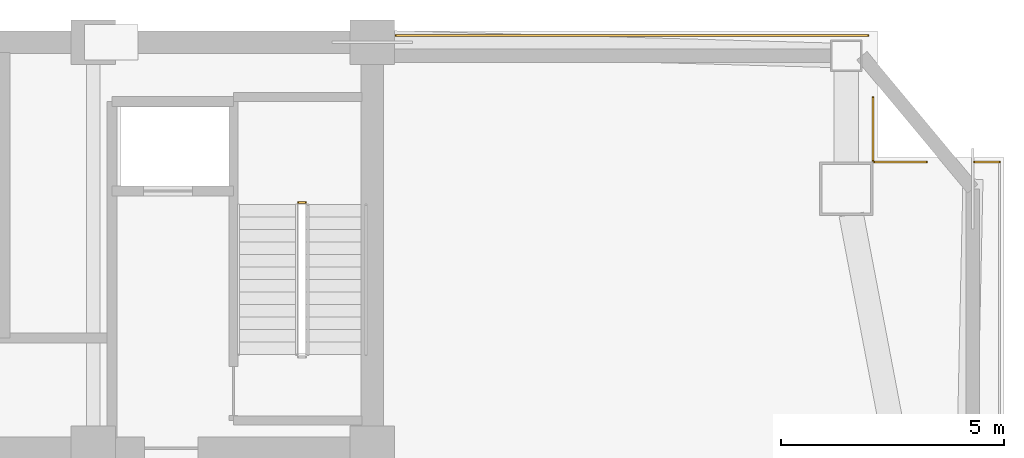
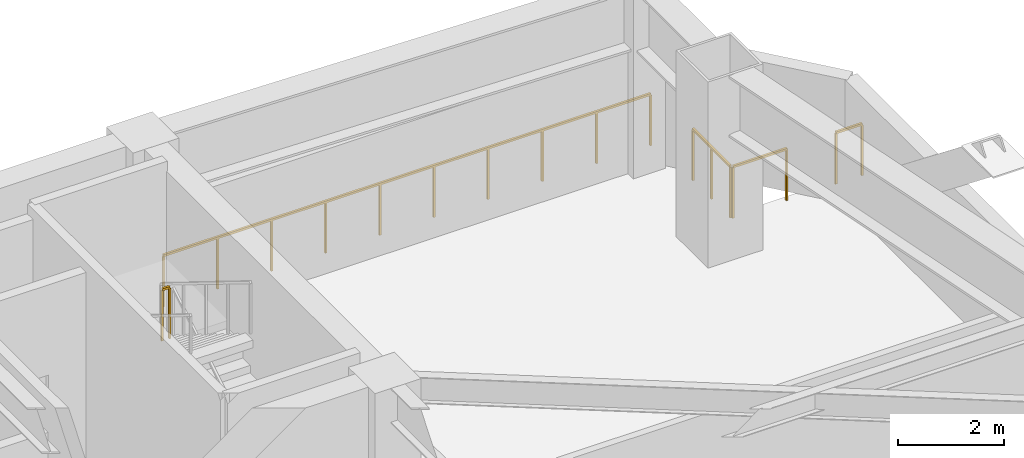
# One storey, part 11 of 11: 5 railings.
"""IFC4 building model written with IfcOpenShell, lengths in metres."""

from ifc_helpers import new_model, si_unit, direction, frame, origin, origin_2d, place, context, subcontext, project, spatial, rectangle, extrude, material, type_object, element, save


model = new_model("IFC4")

# Units and contexts
model_context = context("Model", 3, precision=1e-05, world=origin(), true_north=direction((0.0, 1.0)))
body_context = subcontext(model_context, "Body", "Model", "MODEL_VIEW")
ifc_project = project(units=[si_unit("LENGTHUNIT", "METRE"), si_unit("AREAUNIT", "SQUARE_METRE"), si_unit("VOLUMEUNIT", "CUBIC_METRE"), si_unit("PLANEANGLEUNIT", "RADIAN"), si_unit("MASSUNIT", "GRAM", prefix="KILO")], contexts=[model_context])

# Site, building, storey
site_placement = place(None, origin())
site = spatial("IfcSite", under=ifc_project, at=site_placement, CompositionType="ELEMENT")
building_placement = place(site_placement, origin())
building = spatial("IfcBuilding", under=site, at=building_placement, Name="Giltprow Tower", CompositionType="ELEMENT")
storey_placement = place(building_placement, frame((0.0, 0.0, 191.199951171875)))
storey = spatial("IfcBuildingStorey", under=building, at=storey_placement, Name="L48", CompositionType="ELEMENT", Elevation=191.199951171875)

# Railings
ifc_material = material(Name="Anodized bronze", Category="metal")
railing_type_1 = type_object("IfcRailingType", Name="RAIL-BALC-GUARD-1200", PredefinedType="BALUSTRADE", material=ifc_material)
railing_1_placement = place(storey_placement, frame((51.0849609375, 46.699951171875, 0.0)))
element("IfcRailing", 1, at=railing_1_placement, inside=storey, type_object=railing_type_1, Name="L48 Corner Apron Edge Balustrade 8", PredefinedType="BALUSTRADE", context=body_context, shape_type="SweptSolid", body=[
    extrude(rectangle(XDim=0.048095703125, YDim=0.048095703125, at=origin_2d()), frame((0.0, 0.0, 1.17578125), z_axis=(1.0, 0.0, 0.0), x_axis=(0.0, 1.0, 0.0)), (0.0, 0.0, 1.0), 10.575927734375),
    extrude(rectangle(XDim=0.0419921875, YDim=0.0419921875, at=origin_2d()), origin(), (0.0, 0.0, 1.0), 1.15185546875),
    extrude(rectangle(XDim=0.0419921875, YDim=0.0419921875, at=origin_2d()), frame((1.175048828125, 0.0, 0.0)), (0.0, 0.0, 1.0), 1.15185546875),
    extrude(rectangle(XDim=0.0419921875, YDim=0.0419921875, at=origin_2d()), frame((2.35009765625, 0.0, 0.0)), (0.0, 0.0, 1.0), 1.15185546875),
    extrude(rectangle(XDim=0.0419921875, YDim=0.0419921875, at=origin_2d()), frame((3.525390625, 0.0, 0.0)), (0.0, 0.0, 1.0), 1.15185546875),
    extrude(rectangle(XDim=0.0419921875, YDim=0.0419921875, at=origin_2d()), frame((4.700439453125, 0.0, 0.0)), (0.0, 0.0, 1.0), 1.15185546875),
    extrude(rectangle(XDim=0.0419921875, YDim=0.0419921875, at=origin_2d()), frame((5.87548828125, 0.0, 0.0)), (0.0, 0.0, 1.0), 1.15185546875),
    extrude(rectangle(XDim=0.0419921875, YDim=0.0419921875, at=origin_2d()), frame((7.050537109375, 0.0, 0.0)), (0.0, 0.0, 1.0), 1.15185546875),
    extrude(rectangle(XDim=0.0419921875, YDim=0.0419921875, at=origin_2d()), frame((8.225830078125, 0.0, 0.0)), (0.0, 0.0, 1.0), 1.15185546875),
    extrude(rectangle(XDim=0.0419921875, YDim=0.0419921875, at=origin_2d()), frame((9.40087890625, 0.0, 0.0)), (0.0, 0.0, 1.0), 1.15185546875),
    extrude(rectangle(XDim=0.0419921875, YDim=0.0419921875, at=origin_2d()), frame((10.575927734375, 0.0, 0.0)), (0.0, 0.0, 1.0), 1.15185546875),
])
railing_2_placement = place(storey_placement, frame((61.777099609375, 45.30908203125, 0.0)))
element("IfcRailing", 2, at=railing_2_placement, inside=storey, type_object=railing_type_1, Name="L48 Corner Apron Edge Balustrade 9", PredefinedType="BALUSTRADE", context=body_context, shape_type="SweptSolid", body=[
    extrude(rectangle(XDim=0.048095703125, YDim=0.048095703125, at=origin_2d()), frame((0.0, 0.0, 1.17578125), z_axis=(0.0, -1.0, 0.0), x_axis=(1.0, 0.0, 0.0)), (0.0, 0.0, 1.0), 1.4091796875),
    extrude(rectangle(XDim=0.0419921875, YDim=0.0419921875, at=origin_2d()), origin(), (0.0, 0.0, 1.0), 1.15185546875),
    extrude(rectangle(XDim=0.0419921875, YDim=0.0419921875, at=origin_2d()), frame((0.0, -0.70458984375, 0.0)), (0.0, 0.0, 1.0), 1.15185546875),
    extrude(rectangle(XDim=0.0419921875, YDim=0.0419921875, at=origin_2d()), frame((0.0, -1.4091796875, 0.0)), (0.0, 0.0, 1.0), 1.15185546875),
])
railing_3_placement = place(storey_placement, frame((61.81201171875, 43.864990234375, 0.0)))
element("IfcRailing", 3, at=railing_3_placement, inside=storey, type_object=railing_type_1, Name="L48 Corner Apron Edge Balustrade 10", PredefinedType="BALUSTRADE", context=body_context, shape_type="SweptSolid", body=[
    extrude(rectangle(XDim=0.048095703125, YDim=0.048095703125, at=origin_2d()), frame((0.0, 0.0, 1.17578125), z_axis=(1.0, 0.0, 0.0), x_axis=(0.0, 1.0, 0.0)), (0.0, 0.0, 1.0), 1.1669921875),
    extrude(rectangle(XDim=0.0419921875, YDim=0.0419921875, at=origin_2d()), origin(), (0.0, 0.0, 1.0), 1.15185546875),
    extrude(rectangle(XDim=0.0419921875, YDim=0.0419921875, at=origin_2d()), frame((1.1669921875, 0.0, 0.0)), (0.0, 0.0, 1.0), 1.15185546875),
])
railing_4_placement = place(storey_placement, frame((64.0458984375, 43.864990234375, 0.0)))
element("IfcRailing", 4, at=railing_4_placement, inside=storey, type_object=railing_type_1, Name="L48 Corner Apron Edge Balustrade 11", PredefinedType="BALUSTRADE", context=body_context, shape_type="SweptSolid", body=[
    extrude(rectangle(XDim=0.048095703125, YDim=0.048095703125, at=origin_2d()), frame((0.0, 0.0, 1.17578125), z_axis=(1.0, 0.0, 0.0), x_axis=(0.0, 1.0, 0.0)), (0.0, 0.0, 1.0), 0.566162109375),
    extrude(rectangle(XDim=0.0419921875, YDim=0.0419921875, at=origin_2d()), origin(), (0.0, 0.0, 1.0), 1.15185546875),
    extrude(rectangle(XDim=0.0419921875, YDim=0.0419921875, at=origin_2d()), frame((0.566162109375, 0.0, 0.0)), (0.0, 0.0, 1.0), 1.15185546875),
])
railing_type_2 = type_object("IfcRailingType", Name="RAIL-STAIR-GUARD-1200", PredefinedType="GUARDRAIL", material=ifc_material)
railing_5_placement = place(storey_placement, frame((49.06005859375, 42.9599609375, 2.25)))
element("IfcRailing", 5, at=railing_5_placement, inside=storey, type_object=railing_type_2, Name="L48 ST-3 stair guard 2", PredefinedType="GUARDRAIL", context=body_context, shape_type="SweptSolid", body=[
    extrude(rectangle(XDim=0.048095703125, YDim=0.048095703125, at=origin_2d()), frame((0.0, 0.0, 1.17578125), z_axis=(-1.0, 0.0, 0.0), x_axis=(0.0, -1.0, 0.0)), (0.0, 0.0, 1.0), 0.16015625),
    extrude(rectangle(XDim=0.0419921875, YDim=0.0419921875, at=origin_2d()), origin(), (0.0, 0.0, 1.0), 1.15185546875),
    extrude(rectangle(XDim=0.0419921875, YDim=0.0419921875, at=origin_2d()), frame((-0.16015625, 0.0, 0.0)), (0.0, 0.0, 1.0), 1.15185546875),
])

save(model, "model.ifc")
